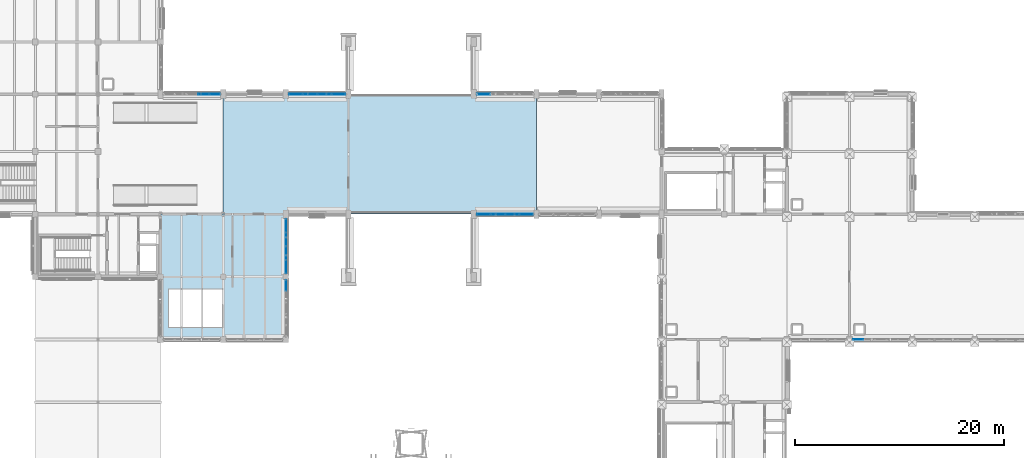
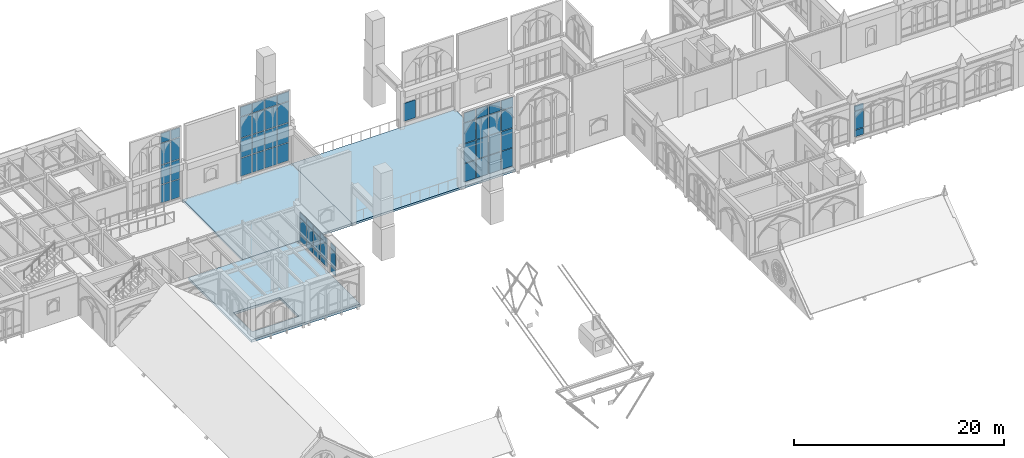
# One storey, part 68 of 108: 59 plates, 3 slabs, 7 elements without a shape of their own.
"""IFC4 building model written with IfcOpenShell, lengths in metres."""

from ifc_helpers import new_model, si_unit, direction, frame, origin, origin_2d, place, context, subcontext, project, spatial, polyline, rectangle, outline, extrude, material, layer, layer_set, type_object, element, aggregate, save


model = new_model("IFC4")

# Units and contexts
model_context = context("Model", 3, precision=1e-05, world=origin(), true_north=direction((0.0, 1.0)))
body_context = subcontext(model_context, "Body", "Model", "MODEL_VIEW")
ifc_project = project(units=[si_unit("LENGTHUNIT", "METRE"), si_unit("AREAUNIT", "SQUARE_METRE"), si_unit("VOLUMEUNIT", "CUBIC_METRE"), si_unit("PLANEANGLEUNIT", "RADIAN"), si_unit("MASSUNIT", "GRAM", prefix="KILO")], contexts=[model_context])

# Site, building, storey
site_placement = place(None, origin())
site = spatial("IfcSite", under=ifc_project, at=site_placement, CompositionType="ELEMENT")
building_placement = place(site_placement, origin())
building = spatial("IfcBuilding", under=site, at=building_placement, Name="Cumevento Cable Car Station", CompositionType="ELEMENT")
storey_placement = place(building_placement, frame((0.0, 0.0, 13.5)))
storey = spatial("IfcBuildingStorey", under=building, at=storey_placement, Name="L04", CompositionType="ELEMENT", Elevation=13.5)

# Slabs
ifc_material_1 = material(Name="Concrete C40/50", Category="concrete")
ifc_layer_1 = layer(ifc_material_1, 0.248046875)
ifc_layer_set_1 = layer_set([ifc_layer_1], Name="Concrete C40/50")
slab_type_1 = type_object("IfcSlabType", Name="Concrete Deck FS-248 248", PredefinedType="FLOOR", material=ifc_layer_set_1)
slab_1_placement = place(storey_placement, frame((0.0, 0.0, -0.248046875)))
element("IfcSlab", 1, at=slab_1_placement, inside=storey, type_object=slab_type_1, Name="Floor Slab FS-248 L04 B_V3a.2", PredefinedType="FLOOR", context=body_context, shape_type="SweptSolid", body=[
    extrude(outline(polyline([(76.0, 45.0), (88.0, 45.0), (88.0, 56.5), (76.0, 56.5), (76.0, 45.0)])), origin(), (0.0, 0.0, 1.0), 0.248046875),
])
slab_2_placement = place(storey_placement, frame((0.0, 0.0, -0.248046875)))
element("IfcSlab", 2, at=slab_2_placement, inside=storey, type_object=slab_type_1, Name="Floor Slab FS-248 L04 B_V3b.1", PredefinedType="FLOOR", context=body_context, shape_type="SweptSolid", body=[
    extrude(outline(polyline([(88.0, 45.0), (106.0, 45.0), (106.0, 56.5), (88.0, 56.5), (88.0, 45.0)])), origin(), (0.0, 0.0, 1.0), 0.248046875),
])
ifc_material_2 = material(Name="Concrete C40/50", Category="concrete")
ifc_layer_2 = layer(ifc_material_2, 0.283935546875)
ifc_layer_set_2 = layer_set([ifc_layer_2], Name="Concrete C40/50")
slab_type_2 = type_object("IfcSlabType", Name="Concrete Deck FS-284 284", PredefinedType="FLOOR", material=ifc_layer_set_2)
slab_3_placement = place(storey_placement, frame((0.0, 0.0, -0.283935546875)))
element("IfcSlab", 3, at=slab_3_placement, inside=storey, type_object=slab_type_2, Name="Floor Slab FS-284 L04 B_V2d.1", PredefinedType="FLOOR", context=body_context, shape_type="SweptSolid", body=[
    extrude(outline(polyline([(70.0, 33.0), (82.0, 33.0), (82.0, 45.0), (70.0, 45.0), (70.0, 33.0)]), holes=[polyline([(70.800048828125, 34.199951171875), (75.89990234375, 34.199951171875), (75.89990234375, 37.800048828125), (70.800048828125, 37.800048828125), (70.800048828125, 34.199951171875)])]), origin(), (0.0, 0.0, 1.0), 0.283935546875),
])

# Curtain wall, plates
ifc_material_3 = material(Name="Anodised Bronze Aluminium AW-6063-T6", Category="aluminium")
ifc_layer_3 = layer(ifc_material_3, 0.177978515625)
ifc_layer_set_3 = layer_set([ifc_layer_3], Name="Anodised Bronze Aluminium AW-6063-T6")
curtain_wall_type_1 = type_object("IfcCurtainWallType", Name="Lancet Curtain Wall CW-04 1170", PredefinedType="NOTDEFINED", material=ifc_layer_set_3)
curtain_wall_1_placement = place(storey_placement, origin())
curtain_wall_1 = element("IfcCurtainWall", 4, at=curtain_wall_1_placement, inside=storey, type_object=curtain_wall_type_1, Name="Lancet Curtain Wall CW-04 L04 #147", PredefinedType="NOTDEFINED")
ifc_material_4 = material(Name="Solar Control Laminated Double Glazing", Category="glass")
ifc_layer_4 = layer(ifc_material_4, 0.050048828125)
ifc_layer_set_4 = layer_set([ifc_layer_4], Name="Solar Control Laminated Double Glazing")
plate_type_1 = type_object("IfcPlateType", Name="Glazed Panel CWP-08 50", PredefinedType="CURTAIN_PANEL", material=ifc_layer_set_4)
plate_1_placement = place(storey_placement, frame((82.0, 38.163818359375, 0.375), z_axis=(0.0, 0.0, 1.0), x_axis=(0.0, -1.0, 0.0)))
plate_1 = element("IfcPlate", 5, at=plate_1_placement, type_object=plate_type_1, Name="CW-04 panel 1.1", PredefinedType="CURTAIN_PANEL", context=body_context, shape_type="SweptSolid", body=[
    extrude(rectangle(XDim=0.992431640625, YDim=0.050048828125, at=origin_2d()), origin(), (0.0, 0.0, 1.0), 0.75244140625),
])
plate_2_placement = place(storey_placement, frame((82.0, 38.163818359375, 1.1923828125), z_axis=(0.0, 0.0, 1.0), x_axis=(0.0, -1.0, 0.0)))
plate_2 = element("IfcPlate", 6, at=plate_2_placement, type_object=plate_type_1, Name="CW-04 panel 1.2", PredefinedType="CURTAIN_PANEL", context=body_context, shape_type="SweptSolid", body=[
    extrude(rectangle(XDim=0.992431640625, YDim=0.050048828125, at=origin_2d()), origin(), (0.0, 0.0, 1.0), 1.8720703125),
])
plate_3_placement = place(storey_placement, frame((82.0, 38.163818359375, 3.12939453125), z_axis=(0.0, 0.0, 1.0), x_axis=(0.0, -1.0, 0.0)))
plate_3 = element("IfcPlate", 7, at=plate_3_placement, type_object=plate_type_1, Name="CW-04 panel 1.3", PredefinedType="CURTAIN_PANEL", context=body_context, shape_type="SweptSolid", body=[
    extrude(rectangle(XDim=0.992431640625, YDim=0.050048828125, at=origin_2d()), origin(), (0.0, 0.0, 1.0), 0.6025390625),
])
aggregate(curtain_wall_1, [plate_1, plate_2, plate_3])

ifc_material_5 = material(Name="Anodised Bronze Aluminium AW-6063-T6", Category="aluminium")
ifc_layer_5 = layer(ifc_material_5, 0.18408203125)
ifc_layer_set_5 = layer_set([ifc_layer_5], Name="Anodised Bronze Aluminium AW-6063-T6")
curtain_wall_type_2 = type_object("IfcCurtainWallType", Name="Lancet Curtain Wall CW-05 1210", PredefinedType="NOTDEFINED", material=ifc_layer_set_5)
curtain_wall_2_placement = place(storey_placement, origin())
curtain_wall_2 = element("IfcCurtainWall", 8, at=curtain_wall_2_placement, inside=storey, type_object=curtain_wall_type_2, Name="Lancet Curtain Wall CW-05 L04 #148", PredefinedType="NOTDEFINED")
ifc_material_6 = material(Name="Insulated Bronze Aluminium Spandrel Panel", Category="aluminium")
ifc_layer_6 = layer(ifc_material_6, 0.054931640625)
ifc_layer_set_6 = layer_set([ifc_layer_6], Name="Insulated Bronze Aluminium Spandrel Panel")
plate_type_2 = type_object("IfcPlateType", Name="Spandrel Panel CWP-09 55", PredefinedType="CURTAIN_PANEL", material=ifc_layer_set_6)
plate_4_placement = place(storey_placement, frame((82.0, 43.896240234375, 0.425048828125), z_axis=(0.0, 0.0, 1.0), x_axis=(0.0, -1.0, 0.0)))
plate_4 = element("IfcPlate", 9, at=plate_4_placement, type_object=plate_type_2, Name="CW-05 panel 1.1", PredefinedType="CURTAIN_PANEL", context=body_context, shape_type="SweptSolid", body=[
    extrude(rectangle(XDim=1.2275390625, YDim=0.054931640625, at=origin_2d()), origin(), (0.0, 0.0, 1.0), 0.75244140625),
])
plate_5_placement = place(storey_placement, frame((82.0, 43.896240234375, 1.24267578125), z_axis=(0.0, 0.0, 1.0), x_axis=(0.0, -1.0, 0.0)))
plate_5 = element("IfcPlate", 10, at=plate_5_placement, type_object=plate_type_2, Name="CW-05 panel 1.2", PredefinedType="CURTAIN_PANEL", context=body_context, shape_type="SweptSolid", body=[
    extrude(rectangle(XDim=1.2275390625, YDim=0.054931640625, at=origin_2d()), origin(), (0.0, 0.0, 1.0), 1.822021484375),
])
plate_6_placement = place(storey_placement, frame((82.0, 43.896240234375, 3.12939453125), z_axis=(0.0, 0.0, 1.0), x_axis=(0.0, -1.0, 0.0)))
plate_6 = element("IfcPlate", 11, at=plate_6_placement, type_object=plate_type_2, Name="CW-05 panel 1.3", PredefinedType="CURTAIN_PANEL", context=body_context, shape_type="SweptSolid", body=[
    extrude(rectangle(XDim=1.2275390625, YDim=0.054931640625, at=origin_2d()), origin(), (0.0, 0.0, 1.0), 0.6025390625),
])
plate_7_placement = place(storey_placement, frame((82.0, 42.58740234375, 0.425048828125), z_axis=(0.0, 0.0, 1.0), x_axis=(0.0, -1.0, 0.0)))
plate_7 = element("IfcPlate", 12, at=plate_7_placement, type_object=plate_type_2, Name="CW-05 panel 2.1", PredefinedType="CURTAIN_PANEL", context=body_context, shape_type="SweptSolid", body=[
    extrude(rectangle(XDim=1.260009765625, YDim=0.054931640625, at=origin_2d()), origin(), (0.0, 0.0, 1.0), 0.75244140625),
])
plate_8_placement = place(storey_placement, frame((82.0, 42.58740234375, 1.24267578125), z_axis=(0.0, 0.0, 1.0), x_axis=(0.0, -1.0, 0.0)))
plate_8 = element("IfcPlate", 13, at=plate_8_placement, type_object=plate_type_2, Name="CW-05 panel 2.2", PredefinedType="CURTAIN_PANEL", context=body_context, shape_type="SweptSolid", body=[
    extrude(rectangle(XDim=1.260009765625, YDim=0.054931640625, at=origin_2d()), origin(), (0.0, 0.0, 1.0), 1.822021484375),
])
plate_9_placement = place(storey_placement, frame((82.0, 42.58740234375, 3.12939453125), z_axis=(0.0, 0.0, 1.0), x_axis=(0.0, -1.0, 0.0)))
plate_9 = element("IfcPlate", 14, at=plate_9_placement, type_object=plate_type_2, Name="CW-05 panel 2.3", PredefinedType="CURTAIN_PANEL", context=body_context, shape_type="SweptSolid", body=[
    extrude(rectangle(XDim=1.260009765625, YDim=0.054931640625, at=origin_2d()), origin(), (0.0, 0.0, 1.0), 0.6025390625),
])
plate_10_placement = place(storey_placement, frame((82.0, 41.262451171875, 0.425048828125), z_axis=(0.0, 0.0, 1.0), x_axis=(0.0, -1.0, 0.0)))
plate_10 = element("IfcPlate", 15, at=plate_10_placement, type_object=plate_type_2, Name="CW-05 panel 3.1", PredefinedType="CURTAIN_PANEL", context=body_context, shape_type="SweptSolid", body=[
    extrude(rectangle(XDim=1.260009765625, YDim=0.054931640625, at=origin_2d()), origin(), (0.0, 0.0, 1.0), 0.75244140625),
])
plate_11_placement = place(storey_placement, frame((82.0, 41.262451171875, 1.24267578125), z_axis=(0.0, 0.0, 1.0), x_axis=(0.0, -1.0, 0.0)))
plate_11 = element("IfcPlate", 16, at=plate_11_placement, type_object=plate_type_2, Name="CW-05 panel 3.2", PredefinedType="CURTAIN_PANEL", context=body_context, shape_type="SweptSolid", body=[
    extrude(rectangle(XDim=1.260009765625, YDim=0.054931640625, at=origin_2d()), origin(), (0.0, 0.0, 1.0), 1.822021484375),
])
plate_12_placement = place(storey_placement, frame((82.0, 41.262451171875, 3.12939453125), z_axis=(0.0, 0.0, 1.0), x_axis=(0.0, -1.0, 0.0)))
plate_12 = element("IfcPlate", 17, at=plate_12_placement, type_object=plate_type_2, Name="CW-05 panel 3.3", PredefinedType="CURTAIN_PANEL", context=body_context, shape_type="SweptSolid", body=[
    extrude(rectangle(XDim=1.260009765625, YDim=0.054931640625, at=origin_2d()), origin(), (0.0, 0.0, 1.0), 0.6025390625),
])
plate_13_placement = place(storey_placement, frame((82.0, 39.953857421875, 0.425048828125), z_axis=(0.0, 0.0, 1.0), x_axis=(0.0, -1.0, 0.0)))
plate_13 = element("IfcPlate", 18, at=plate_13_placement, type_object=plate_type_2, Name="CW-05 panel 4.1", PredefinedType="CURTAIN_PANEL", context=body_context, shape_type="SweptSolid", body=[
    extrude(rectangle(XDim=1.2275390625, YDim=0.054931640625, at=origin_2d()), origin(), (0.0, 0.0, 1.0), 0.75244140625),
])
plate_14_placement = place(storey_placement, frame((82.0, 39.953857421875, 1.24267578125), z_axis=(0.0, 0.0, 1.0), x_axis=(0.0, -1.0, 0.0)))
plate_14 = element("IfcPlate", 19, at=plate_14_placement, type_object=plate_type_2, Name="CW-05 panel 4.2", PredefinedType="CURTAIN_PANEL", context=body_context, shape_type="SweptSolid", body=[
    extrude(rectangle(XDim=1.2275390625, YDim=0.054931640625, at=origin_2d()), origin(), (0.0, 0.0, 1.0), 1.822021484375),
])
plate_15_placement = place(storey_placement, frame((82.0, 39.953857421875, 3.12939453125), z_axis=(0.0, 0.0, 1.0), x_axis=(0.0, -1.0, 0.0)))
plate_15 = element("IfcPlate", 20, at=plate_15_placement, type_object=plate_type_2, Name="CW-05 panel 4.3", PredefinedType="CURTAIN_PANEL", context=body_context, shape_type="SweptSolid", body=[
    extrude(rectangle(XDim=1.2275390625, YDim=0.054931640625, at=origin_2d()), origin(), (0.0, 0.0, 1.0), 0.6025390625),
])
aggregate(curtain_wall_2, [plate_4, plate_5, plate_6, plate_7, plate_8, plate_9, plate_10, plate_11, plate_12, plate_13, plate_14, plate_15])

curtain_wall_3_placement = place(storey_placement, origin())
curtain_wall_3 = element("IfcCurtainWall", 21, at=curtain_wall_3_placement, inside=storey, type_object=curtain_wall_type_2, Name="Lancet Curtain Wall CW-05 L04 #164", PredefinedType="NOTDEFINED")
ifc_material_7 = material(Name="Insulated Bronze Aluminium Spandrel Panel", Category="aluminium")
ifc_layer_7 = layer(ifc_material_7, 0.06591796875)
ifc_layer_set_7 = layer_set([ifc_layer_7], Name="Insulated Bronze Aluminium Spandrel Panel")
plate_type_3 = type_object("IfcPlateType", Name="Spandrel Panel CWP-11 66", PredefinedType="CURTAIN_PANEL", material=ifc_layer_set_7)
plate_16_placement = place(storey_placement, frame((74.10009765625, 56.5, 0.43505859375), z_axis=(0.0, 0.0, 1.0), x_axis=(1.0, 0.0, 0.0)))
plate_16 = element("IfcPlate", 22, at=plate_16_placement, type_object=plate_type_3, Name="CW-05 panel 4.1", PredefinedType="CURTAIN_PANEL", context=body_context, shape_type="SweptSolid", body=[
    extrude(rectangle(XDim=1.02490234375, YDim=0.06591796875, at=origin_2d()), origin(), (0.0, 0.0, 1.0), 2.08740234375),
])
plate_17_placement = place(storey_placement, frame((74.10009765625, 56.5, 2.597412109375), z_axis=(0.0, 0.0, 1.0), x_axis=(1.0, 0.0, 0.0)))
plate_17 = element("IfcPlate", 23, at=plate_17_placement, type_object=plate_type_3, Name="CW-05 panel 4.2", PredefinedType="CURTAIN_PANEL", context=body_context, shape_type="SweptSolid", body=[
    extrude(rectangle(XDim=1.02490234375, YDim=0.06591796875, at=origin_2d()), origin(), (0.0, 0.0, 1.0), 2.22509765625),
])
plate_18_placement = place(storey_placement, frame((74.10009765625, 56.5, 4.8974609375), z_axis=(0.0, 0.0, 1.0), x_axis=(1.0, 0.0, 0.0)))
plate_18 = element("IfcPlate", 24, at=plate_18_placement, type_object=plate_type_3, Name="CW-05 panel 4.3", PredefinedType="CURTAIN_PANEL", context=body_context, shape_type="SweptSolid", body=[
    extrude(rectangle(XDim=1.02490234375, YDim=0.06591796875, at=origin_2d()), origin(), (0.0, 0.0, 1.0), 2.4580078125),
])
plate_19_placement = place(storey_placement, frame((74.10009765625, 56.5, 7.4306640625), z_axis=(0.0, 0.0, 1.0), x_axis=(1.0, 0.0, 0.0)))
plate_19 = element("IfcPlate", 25, at=plate_19_placement, type_object=plate_type_3, Name="CW-05 panel 4.4", PredefinedType="CURTAIN_PANEL", context=body_context, shape_type="SweptSolid", body=[
    extrude(rectangle(XDim=1.02490234375, YDim=0.06591796875, at=origin_2d()), origin(), (0.0, 0.0, 1.0), 1.08740234375),
])
plate_20_placement = place(storey_placement, frame((75.18115234375, 56.5, 0.43505859375), z_axis=(0.0, 0.0, 1.0), x_axis=(1.0, 0.0, 0.0)))
plate_20 = element("IfcPlate", 26, at=plate_20_placement, type_object=plate_type_3, Name="CW-05 panel 5.1", PredefinedType="CURTAIN_PANEL", context=body_context, shape_type="SweptSolid", body=[
    extrude(rectangle(XDim=0.987548828125, YDim=0.06591796875, at=origin_2d()), origin(), (0.0, 0.0, 1.0), 2.08740234375),
])
plate_21_placement = place(storey_placement, frame((75.18115234375, 56.5, 2.597412109375), z_axis=(0.0, 0.0, 1.0), x_axis=(1.0, 0.0, 0.0)))
plate_21 = element("IfcPlate", 27, at=plate_21_placement, type_object=plate_type_3, Name="CW-05 panel 5.2", PredefinedType="CURTAIN_PANEL", context=body_context, shape_type="SweptSolid", body=[
    extrude(rectangle(XDim=0.987548828125, YDim=0.06591796875, at=origin_2d()), origin(), (0.0, 0.0, 1.0), 2.22509765625),
])
plate_22_placement = place(storey_placement, frame((75.18115234375, 56.5, 4.8974609375), z_axis=(0.0, 0.0, 1.0), x_axis=(1.0, 0.0, 0.0)))
plate_22 = element("IfcPlate", 28, at=plate_22_placement, type_object=plate_type_3, Name="CW-05 panel 5.3", PredefinedType="CURTAIN_PANEL", context=body_context, shape_type="SweptSolid", body=[
    extrude(rectangle(XDim=0.987548828125, YDim=0.06591796875, at=origin_2d()), origin(), (0.0, 0.0, 1.0), 2.4580078125),
])
plate_23_placement = place(storey_placement, frame((75.18115234375, 56.5, 7.4306640625), z_axis=(0.0, 0.0, 1.0), x_axis=(1.0, 0.0, 0.0)))
plate_23 = element("IfcPlate", 29, at=plate_23_placement, type_object=plate_type_3, Name="CW-05 panel 5.4", PredefinedType="CURTAIN_PANEL", context=body_context, shape_type="SweptSolid", body=[
    extrude(rectangle(XDim=0.987548828125, YDim=0.06591796875, at=origin_2d()), origin(), (0.0, 0.0, 1.0), 1.08740234375),
])
aggregate(curtain_wall_3, [plate_16, plate_17, plate_18, plate_19, plate_20, plate_21, plate_22, plate_23])

ifc_material_8 = material(Name="Anodised Bronze Aluminium AW-6063-T6", Category="aluminium")
ifc_layer_8 = layer(ifc_material_8, 0.18994140625)
ifc_layer_set_8 = layer_set([ifc_layer_8], Name="Anodised Bronze Aluminium AW-6063-T6")
curtain_wall_type_3 = type_object("IfcCurtainWallType", Name="Lancet Curtain Wall CW-06 1250", PredefinedType="NOTDEFINED", material=ifc_layer_set_8)
curtain_wall_4_placement = place(storey_placement, origin())
curtain_wall_4 = element("IfcCurtainWall", 30, at=curtain_wall_4_placement, inside=storey, type_object=curtain_wall_type_3, Name="Lancet Curtain Wall CW-06 L04 #165", PredefinedType="NOTDEFINED")
ifc_material_9 = material(Name="Insulated Bronze Aluminium Spandrel Panel", Category="aluminium")
ifc_layer_9 = layer(ifc_material_9, 0.072021484375)
ifc_layer_set_9 = layer_set([ifc_layer_9], Name="Insulated Bronze Aluminium Spandrel Panel")
plate_type_4 = type_object("IfcPlateType", Name="Spandrel Panel CWP-12 72", PredefinedType="CURTAIN_PANEL", material=ifc_layer_set_9)
plate_24_placement = place(storey_placement, frame((82.956298828125, 56.5, 0.485107421875), z_axis=(0.0, 0.0, 1.0), x_axis=(1.0, 0.0, 0.0)))
plate_24 = element("IfcPlate", 31, at=plate_24_placement, type_object=plate_type_4, Name="CW-06 panel 1.1", PredefinedType="CURTAIN_PANEL", context=body_context, shape_type="SweptSolid", body=[
    extrude(rectangle(XDim=1.262451171875, YDim=0.072021484375, at=origin_2d()), origin(), (0.0, 0.0, 1.0), 2.08740234375),
])
plate_25_placement = place(storey_placement, frame((82.956298828125, 56.5, 2.6474609375), z_axis=(0.0, 0.0, 1.0), x_axis=(1.0, 0.0, 0.0)))
plate_25 = element("IfcPlate", 32, at=plate_25_placement, type_object=plate_type_4, Name="CW-06 panel 1.2", PredefinedType="CURTAIN_PANEL", context=body_context, shape_type="SweptSolid", body=[
    extrude(rectangle(XDim=1.262451171875, YDim=0.072021484375, at=origin_2d()), origin(), (0.0, 0.0, 1.0), 2.22509765625),
])
plate_26_placement = place(storey_placement, frame((82.956298828125, 56.5, 4.94775390625), z_axis=(0.0, 0.0, 1.0), x_axis=(1.0, 0.0, 0.0)))
plate_26 = element("IfcPlate", 33, at=plate_26_placement, type_object=plate_type_4, Name="CW-06 panel 1.3", PredefinedType="CURTAIN_PANEL", context=body_context, shape_type="SweptSolid", body=[
    extrude(rectangle(XDim=1.262451171875, YDim=0.072021484375, at=origin_2d()), origin(), (0.0, 0.0, 1.0), 2.407958984375),
])
plate_27_placement = place(storey_placement, frame((82.956298828125, 56.5, 7.4306640625), z_axis=(0.0, 0.0, 1.0), x_axis=(1.0, 0.0, 0.0)))
plate_27 = element("IfcPlate", 34, at=plate_27_placement, type_object=plate_type_4, Name="CW-06 panel 1.4", PredefinedType="CURTAIN_PANEL", context=body_context, shape_type="SweptSolid", body=[
    extrude(rectangle(XDim=1.262451171875, YDim=0.072021484375, at=origin_2d()), origin(), (0.0, 0.0, 1.0), 1.08740234375),
])
plate_28_placement = place(storey_placement, frame((84.3125, 56.5, 0.485107421875), z_axis=(0.0, 0.0, 1.0), x_axis=(1.0, 0.0, 0.0)))
plate_28 = element("IfcPlate", 35, at=plate_28_placement, type_object=plate_type_4, Name="CW-06 panel 2.1", PredefinedType="CURTAIN_PANEL", context=body_context, shape_type="SweptSolid", body=[
    extrude(rectangle(XDim=1.300048828125, YDim=0.072021484375, at=origin_2d()), origin(), (0.0, 0.0, 1.0), 2.08740234375),
])
plate_29_placement = place(storey_placement, frame((84.3125, 56.5, 2.6474609375), z_axis=(0.0, 0.0, 1.0), x_axis=(1.0, 0.0, 0.0)))
plate_29 = element("IfcPlate", 36, at=plate_29_placement, type_object=plate_type_4, Name="CW-06 panel 2.2", PredefinedType="CURTAIN_PANEL", context=body_context, shape_type="SweptSolid", body=[
    extrude(rectangle(XDim=1.300048828125, YDim=0.072021484375, at=origin_2d()), origin(), (0.0, 0.0, 1.0), 2.22509765625),
])
plate_30_placement = place(storey_placement, frame((84.3125, 56.5, 4.94775390625), z_axis=(0.0, 0.0, 1.0), x_axis=(1.0, 0.0, 0.0)))
plate_30 = element("IfcPlate", 37, at=plate_30_placement, type_object=plate_type_4, Name="CW-06 panel 2.3", PredefinedType="CURTAIN_PANEL", context=body_context, shape_type="SweptSolid", body=[
    extrude(rectangle(XDim=1.300048828125, YDim=0.072021484375, at=origin_2d()), origin(), (0.0, 0.0, 1.0), 2.407958984375),
])
plate_31_placement = place(storey_placement, frame((84.3125, 56.5, 7.4306640625), z_axis=(0.0, 0.0, 1.0), x_axis=(1.0, 0.0, 0.0)))
plate_31 = element("IfcPlate", 38, at=plate_31_placement, type_object=plate_type_4, Name="CW-06 panel 2.4", PredefinedType="CURTAIN_PANEL", context=body_context, shape_type="SweptSolid", body=[
    extrude(rectangle(XDim=1.300048828125, YDim=0.072021484375, at=origin_2d()), origin(), (0.0, 0.0, 1.0), 1.08740234375),
])
plate_32_placement = place(storey_placement, frame((85.6875, 56.5, 0.485107421875), z_axis=(0.0, 0.0, 1.0), x_axis=(1.0, 0.0, 0.0)))
plate_32 = element("IfcPlate", 39, at=plate_32_placement, type_object=plate_type_4, Name="CW-06 panel 3.1", PredefinedType="CURTAIN_PANEL", context=body_context, shape_type="SweptSolid", body=[
    extrude(rectangle(XDim=1.300048828125, YDim=0.072021484375, at=origin_2d()), origin(), (0.0, 0.0, 1.0), 2.08740234375),
])
plate_33_placement = place(storey_placement, frame((85.6875, 56.5, 2.6474609375), z_axis=(0.0, 0.0, 1.0), x_axis=(1.0, 0.0, 0.0)))
plate_33 = element("IfcPlate", 40, at=plate_33_placement, type_object=plate_type_4, Name="CW-06 panel 3.2", PredefinedType="CURTAIN_PANEL", context=body_context, shape_type="SweptSolid", body=[
    extrude(rectangle(XDim=1.300048828125, YDim=0.072021484375, at=origin_2d()), origin(), (0.0, 0.0, 1.0), 2.22509765625),
])
plate_34_placement = place(storey_placement, frame((85.6875, 56.5, 4.94775390625), z_axis=(0.0, 0.0, 1.0), x_axis=(1.0, 0.0, 0.0)))
plate_34 = element("IfcPlate", 41, at=plate_34_placement, type_object=plate_type_4, Name="CW-06 panel 3.3", PredefinedType="CURTAIN_PANEL", context=body_context, shape_type="SweptSolid", body=[
    extrude(rectangle(XDim=1.300048828125, YDim=0.072021484375, at=origin_2d()), origin(), (0.0, 0.0, 1.0), 2.407958984375),
])
plate_35_placement = place(storey_placement, frame((85.6875, 56.5, 7.4306640625), z_axis=(0.0, 0.0, 1.0), x_axis=(1.0, 0.0, 0.0)))
plate_35 = element("IfcPlate", 42, at=plate_35_placement, type_object=plate_type_4, Name="CW-06 panel 3.4", PredefinedType="CURTAIN_PANEL", context=body_context, shape_type="SweptSolid", body=[
    extrude(rectangle(XDim=1.300048828125, YDim=0.072021484375, at=origin_2d()), origin(), (0.0, 0.0, 1.0), 1.08740234375),
])
plate_36_placement = place(storey_placement, frame((87.043701171875, 56.5, 0.485107421875), z_axis=(0.0, 0.0, 1.0), x_axis=(1.0, 0.0, 0.0)))
plate_36 = element("IfcPlate", 43, at=plate_36_placement, type_object=plate_type_4, Name="CW-06 panel 4.1", PredefinedType="CURTAIN_PANEL", context=body_context, shape_type="SweptSolid", body=[
    extrude(rectangle(XDim=1.262451171875, YDim=0.072021484375, at=origin_2d()), origin(), (0.0, 0.0, 1.0), 2.08740234375),
])
plate_37_placement = place(storey_placement, frame((87.043701171875, 56.5, 2.6474609375), z_axis=(0.0, 0.0, 1.0), x_axis=(1.0, 0.0, 0.0)))
plate_37 = element("IfcPlate", 44, at=plate_37_placement, type_object=plate_type_4, Name="CW-06 panel 4.2", PredefinedType="CURTAIN_PANEL", context=body_context, shape_type="SweptSolid", body=[
    extrude(rectangle(XDim=1.262451171875, YDim=0.072021484375, at=origin_2d()), origin(), (0.0, 0.0, 1.0), 2.22509765625),
])
plate_38_placement = place(storey_placement, frame((87.043701171875, 56.5, 4.94775390625), z_axis=(0.0, 0.0, 1.0), x_axis=(1.0, 0.0, 0.0)))
plate_38 = element("IfcPlate", 45, at=plate_38_placement, type_object=plate_type_4, Name="CW-06 panel 4.3", PredefinedType="CURTAIN_PANEL", context=body_context, shape_type="SweptSolid", body=[
    extrude(rectangle(XDim=1.262451171875, YDim=0.072021484375, at=origin_2d()), origin(), (0.0, 0.0, 1.0), 2.407958984375),
])
plate_39_placement = place(storey_placement, frame((87.043701171875, 56.5, 7.4306640625), z_axis=(0.0, 0.0, 1.0), x_axis=(1.0, 0.0, 0.0)))
plate_39 = element("IfcPlate", 46, at=plate_39_placement, type_object=plate_type_4, Name="CW-06 panel 4.4", PredefinedType="CURTAIN_PANEL", context=body_context, shape_type="SweptSolid", body=[
    extrude(rectangle(XDim=1.262451171875, YDim=0.072021484375, at=origin_2d()), origin(), (0.0, 0.0, 1.0), 1.08740234375),
])
aggregate(curtain_wall_4, [plate_24, plate_25, plate_26, plate_27, plate_28, plate_29, plate_30, plate_31, plate_32, plate_33, plate_34, plate_35, plate_36, plate_37, plate_38, plate_39])

ifc_material_10 = material(Name="Anodised Bronze Aluminium AW-6063-T6", Category="aluminium")
ifc_layer_10 = layer(ifc_material_10, 0.196044921875)
ifc_layer_set_10 = layer_set([ifc_layer_10], Name="Anodised Bronze Aluminium AW-6063-T6")
curtain_wall_type_4 = type_object("IfcCurtainWallType", Name="Lancet Curtain Wall CW-07 1290", PredefinedType="NOTDEFINED", material=ifc_layer_set_10)
curtain_wall_5_placement = place(storey_placement, origin())
curtain_wall_5 = element("IfcCurtainWall", 47, at=curtain_wall_5_placement, inside=storey, type_object=curtain_wall_type_4, Name="Lancet Curtain Wall CW-07 L04 #166", PredefinedType="NOTDEFINED")
ifc_material_11 = material(Name="Insulated Bronze Aluminium Spandrel Panel", Category="aluminium")
ifc_layer_11 = layer(ifc_material_11, 0.077880859375)
ifc_layer_set_11 = layer_set([ifc_layer_11], Name="Insulated Bronze Aluminium Spandrel Panel")
plate_type_5 = type_object("IfcPlateType", Name="Spandrel Panel CWP-13 78", PredefinedType="CURTAIN_PANEL", material=ifc_layer_set_11)
plate_40_placement = place(storey_placement, frame((105.043701171875, 45.0, 0.53515625), z_axis=(0.0, 0.0, 1.0), x_axis=(-1.0, 0.0, 0.0)))
plate_40 = element("IfcPlate", 48, at=plate_40_placement, type_object=plate_type_5, Name="CW-07 panel 1.1", PredefinedType="CURTAIN_PANEL", context=body_context, shape_type="SweptSolid", body=[
    extrude(rectangle(XDim=1.262451171875, YDim=0.077880859375, at=origin_2d()), origin(), (0.0, 0.0, 1.0), 2.08740234375),
])
plate_41_placement = place(storey_placement, frame((105.043701171875, 45.0, 2.697509765625), z_axis=(0.0, 0.0, 1.0), x_axis=(-1.0, 0.0, 0.0)))
plate_41 = element("IfcPlate", 49, at=plate_41_placement, type_object=plate_type_5, Name="CW-07 panel 1.2", PredefinedType="CURTAIN_PANEL", context=body_context, shape_type="SweptSolid", body=[
    extrude(rectangle(XDim=1.262451171875, YDim=0.077880859375, at=origin_2d()), origin(), (0.0, 0.0, 1.0), 2.22509765625),
])
plate_42_placement = place(storey_placement, frame((105.043701171875, 45.0, 4.99755859375), z_axis=(0.0, 0.0, 1.0), x_axis=(-1.0, 0.0, 0.0)))
plate_42 = element("IfcPlate", 50, at=plate_42_placement, type_object=plate_type_5, Name="CW-07 panel 1.3", PredefinedType="CURTAIN_PANEL", context=body_context, shape_type="SweptSolid", body=[
    extrude(rectangle(XDim=1.262451171875, YDim=0.077880859375, at=origin_2d()), origin(), (0.0, 0.0, 1.0), 2.35791015625),
])
plate_43_placement = place(storey_placement, frame((105.043701171875, 45.0, 7.4306640625), z_axis=(0.0, 0.0, 1.0), x_axis=(-1.0, 0.0, 0.0)))
plate_43 = element("IfcPlate", 51, at=plate_43_placement, type_object=plate_type_5, Name="CW-07 panel 1.4", PredefinedType="CURTAIN_PANEL", context=body_context, shape_type="SweptSolid", body=[
    extrude(rectangle(XDim=1.262451171875, YDim=0.077880859375, at=origin_2d()), origin(), (0.0, 0.0, 1.0), 1.08740234375),
])
plate_44_placement = place(storey_placement, frame((103.6875, 45.0, 0.53515625), z_axis=(0.0, 0.0, 1.0), x_axis=(-1.0, 0.0, 0.0)))
plate_44 = element("IfcPlate", 52, at=plate_44_placement, type_object=plate_type_5, Name="CW-07 panel 2.1", PredefinedType="CURTAIN_PANEL", context=body_context, shape_type="SweptSolid", body=[
    extrude(rectangle(XDim=1.300048828125, YDim=0.077880859375, at=origin_2d()), origin(), (0.0, 0.0, 1.0), 2.08740234375),
])
plate_45_placement = place(storey_placement, frame((103.6875, 45.0, 2.697509765625), z_axis=(0.0, 0.0, 1.0), x_axis=(-1.0, 0.0, 0.0)))
plate_45 = element("IfcPlate", 53, at=plate_45_placement, type_object=plate_type_5, Name="CW-07 panel 2.2", PredefinedType="CURTAIN_PANEL", context=body_context, shape_type="SweptSolid", body=[
    extrude(rectangle(XDim=1.300048828125, YDim=0.077880859375, at=origin_2d()), origin(), (0.0, 0.0, 1.0), 2.22509765625),
])
plate_46_placement = place(storey_placement, frame((103.6875, 45.0, 4.99755859375), z_axis=(0.0, 0.0, 1.0), x_axis=(-1.0, 0.0, 0.0)))
plate_46 = element("IfcPlate", 54, at=plate_46_placement, type_object=plate_type_5, Name="CW-07 panel 2.3", PredefinedType="CURTAIN_PANEL", context=body_context, shape_type="SweptSolid", body=[
    extrude(rectangle(XDim=1.300048828125, YDim=0.077880859375, at=origin_2d()), origin(), (0.0, 0.0, 1.0), 2.35791015625),
])
plate_47_placement = place(storey_placement, frame((103.6875, 45.0, 7.4306640625), z_axis=(0.0, 0.0, 1.0), x_axis=(-1.0, 0.0, 0.0)))
plate_47 = element("IfcPlate", 55, at=plate_47_placement, type_object=plate_type_5, Name="CW-07 panel 2.4", PredefinedType="CURTAIN_PANEL", context=body_context, shape_type="SweptSolid", body=[
    extrude(rectangle(XDim=1.300048828125, YDim=0.077880859375, at=origin_2d()), origin(), (0.0, 0.0, 1.0), 1.08740234375),
])
plate_48_placement = place(storey_placement, frame((102.3125, 45.0, 0.53515625), z_axis=(0.0, 0.0, 1.0), x_axis=(-1.0, 0.0, 0.0)))
plate_48 = element("IfcPlate", 56, at=plate_48_placement, type_object=plate_type_5, Name="CW-07 panel 3.1", PredefinedType="CURTAIN_PANEL", context=body_context, shape_type="SweptSolid", body=[
    extrude(rectangle(XDim=1.300048828125, YDim=0.077880859375, at=origin_2d()), origin(), (0.0, 0.0, 1.0), 2.08740234375),
])
plate_49_placement = place(storey_placement, frame((102.3125, 45.0, 2.697509765625), z_axis=(0.0, 0.0, 1.0), x_axis=(-1.0, 0.0, 0.0)))
plate_49 = element("IfcPlate", 57, at=plate_49_placement, type_object=plate_type_5, Name="CW-07 panel 3.2", PredefinedType="CURTAIN_PANEL", context=body_context, shape_type="SweptSolid", body=[
    extrude(rectangle(XDim=1.300048828125, YDim=0.077880859375, at=origin_2d()), origin(), (0.0, 0.0, 1.0), 2.22509765625),
])
plate_50_placement = place(storey_placement, frame((102.3125, 45.0, 4.99755859375), z_axis=(0.0, 0.0, 1.0), x_axis=(-1.0, 0.0, 0.0)))
plate_50 = element("IfcPlate", 58, at=plate_50_placement, type_object=plate_type_5, Name="CW-07 panel 3.3", PredefinedType="CURTAIN_PANEL", context=body_context, shape_type="SweptSolid", body=[
    extrude(rectangle(XDim=1.300048828125, YDim=0.077880859375, at=origin_2d()), origin(), (0.0, 0.0, 1.0), 2.35791015625),
])
plate_51_placement = place(storey_placement, frame((102.3125, 45.0, 7.4306640625), z_axis=(0.0, 0.0, 1.0), x_axis=(-1.0, 0.0, 0.0)))
plate_51 = element("IfcPlate", 59, at=plate_51_placement, type_object=plate_type_5, Name="CW-07 panel 3.4", PredefinedType="CURTAIN_PANEL", context=body_context, shape_type="SweptSolid", body=[
    extrude(rectangle(XDim=1.300048828125, YDim=0.077880859375, at=origin_2d()), origin(), (0.0, 0.0, 1.0), 1.08740234375),
])
plate_52_placement = place(storey_placement, frame((100.956298828125, 45.0, 0.53515625), z_axis=(0.0, 0.0, 1.0), x_axis=(-1.0, 0.0, 0.0)))
plate_52 = element("IfcPlate", 60, at=plate_52_placement, type_object=plate_type_5, Name="CW-07 panel 4.1", PredefinedType="CURTAIN_PANEL", context=body_context, shape_type="SweptSolid", body=[
    extrude(rectangle(XDim=1.262451171875, YDim=0.077880859375, at=origin_2d()), origin(), (0.0, 0.0, 1.0), 2.08740234375),
])
plate_53_placement = place(storey_placement, frame((100.956298828125, 45.0, 2.697509765625), z_axis=(0.0, 0.0, 1.0), x_axis=(-1.0, 0.0, 0.0)))
plate_53 = element("IfcPlate", 61, at=plate_53_placement, type_object=plate_type_5, Name="CW-07 panel 4.2", PredefinedType="CURTAIN_PANEL", context=body_context, shape_type="SweptSolid", body=[
    extrude(rectangle(XDim=1.262451171875, YDim=0.077880859375, at=origin_2d()), origin(), (0.0, 0.0, 1.0), 2.22509765625),
])
plate_54_placement = place(storey_placement, frame((100.956298828125, 45.0, 4.99755859375), z_axis=(0.0, 0.0, 1.0), x_axis=(-1.0, 0.0, 0.0)))
plate_54 = element("IfcPlate", 62, at=plate_54_placement, type_object=plate_type_5, Name="CW-07 panel 4.3", PredefinedType="CURTAIN_PANEL", context=body_context, shape_type="SweptSolid", body=[
    extrude(rectangle(XDim=1.262451171875, YDim=0.077880859375, at=origin_2d()), origin(), (0.0, 0.0, 1.0), 2.35791015625),
])
plate_55_placement = place(storey_placement, frame((100.956298828125, 45.0, 7.4306640625), z_axis=(0.0, 0.0, 1.0), x_axis=(-1.0, 0.0, 0.0)))
plate_55 = element("IfcPlate", 63, at=plate_55_placement, type_object=plate_type_5, Name="CW-07 panel 4.4", PredefinedType="CURTAIN_PANEL", context=body_context, shape_type="SweptSolid", body=[
    extrude(rectangle(XDim=1.262451171875, YDim=0.077880859375, at=origin_2d()), origin(), (0.0, 0.0, 1.0), 1.08740234375),
])
aggregate(curtain_wall_5, [plate_40, plate_41, plate_42, plate_43, plate_44, plate_45, plate_46, plate_47, plate_48, plate_49, plate_50, plate_51, plate_52, plate_53, plate_54, plate_55])

curtain_wall_6_placement = place(storey_placement, origin())
curtain_wall_6 = element("IfcCurtainWall", 64, at=curtain_wall_6_placement, inside=storey, type_object=curtain_wall_type_2, Name="Lancet Curtain Wall CW-05 L04 #180", PredefinedType="NOTDEFINED")
plate_56_placement = place(storey_placement, frame((136.836181640625, 33.0, 0.425048828125), z_axis=(0.0, 0.0, 1.0), x_axis=(-1.0, 0.0, 0.0)))
plate_56 = element("IfcPlate", 65, at=plate_56_placement, type_object=plate_type_5, Name="CW-05 panel 5.1", PredefinedType="CURTAIN_PANEL", context=body_context, shape_type="SweptSolid", body=[
    extrude(rectangle(XDim=0.992431640625, YDim=0.077880859375, at=origin_2d()), origin(), (0.0, 0.0, 1.0), 0.75244140625),
])
plate_57_placement = place(storey_placement, frame((136.836181640625, 33.0, 1.24267578125), z_axis=(0.0, 0.0, 1.0), x_axis=(-1.0, 0.0, 0.0)))
plate_57 = element("IfcPlate", 66, at=plate_57_placement, type_object=plate_type_5, Name="CW-05 panel 5.2", PredefinedType="CURTAIN_PANEL", context=body_context, shape_type="SweptSolid", body=[
    extrude(rectangle(XDim=0.992431640625, YDim=0.077880859375, at=origin_2d()), origin(), (0.0, 0.0, 1.0), 2.117919921875),
])
plate_58_placement = place(storey_placement, frame((136.836181640625, 33.0, 3.425537109375), z_axis=(0.0, 0.0, 1.0), x_axis=(-1.0, 0.0, 0.0)))
plate_58 = element("IfcPlate", 67, at=plate_58_placement, type_object=plate_type_5, Name="CW-05 panel 5.3", PredefinedType="CURTAIN_PANEL", context=body_context, shape_type="SweptSolid", body=[
    extrude(rectangle(XDim=0.992431640625, YDim=0.077880859375, at=origin_2d()), origin(), (0.0, 0.0, 1.0), 0.6025390625),
])
aggregate(curtain_wall_6, [plate_56, plate_57, plate_58])

# Curtain wall, plate
ifc_material_12 = material(Name="Anodised Bronze Aluminium AW-6063-T6", Category="aluminium")
ifc_layer_12 = layer(ifc_material_12, 0.201904296875)
ifc_layer_set_12 = layer_set([ifc_layer_12], Name="Anodised Bronze Aluminium AW-6063-T6")
curtain_wall_type_5 = type_object("IfcCurtainWallType", Name="Lancet Curtain Wall CW-08 1330", PredefinedType="NOTDEFINED", material=ifc_layer_set_12)
curtain_wall_7_placement = place(storey_placement, origin())
curtain_wall_7 = element("IfcCurtainWall", 68, at=curtain_wall_7_placement, inside=storey, type_object=curtain_wall_type_5, Name="Lancet Curtain Wall CW-08 L04 #167", PredefinedType="NOTDEFINED")
ifc_material_13 = material(Name="Insulated Bronze Aluminium Spandrel Panel", Category="aluminium")
ifc_layer_13 = layer(ifc_material_13, 0.0849609375)
ifc_layer_set_13 = layer_set([ifc_layer_13], Name="Insulated Bronze Aluminium Spandrel Panel")
plate_type_6 = type_object("IfcPlateType", Name="Spandrel Panel CWP-14 85", PredefinedType="CURTAIN_PANEL", material=ifc_layer_set_13)
plate_59_placement = place(storey_placement, frame((100.956298828125, 56.5, 0.594970703125), z_axis=(0.0, 0.0, 1.0), x_axis=(1.0, 0.0, 0.0)))
plate_59 = element("IfcPlate", 69, at=plate_59_placement, type_object=plate_type_6, Name="CW-08 panel 1.1", PredefinedType="CURTAIN_PANEL", context=body_context, shape_type="SweptSolid", body=[
    extrude(rectangle(XDim=1.262451171875, YDim=0.0849609375, at=origin_2d()), origin(), (0.0, 0.0, 1.0), 2.08740234375),
])
aggregate(curtain_wall_7, [plate_59])

save(model, "model.ifc")
